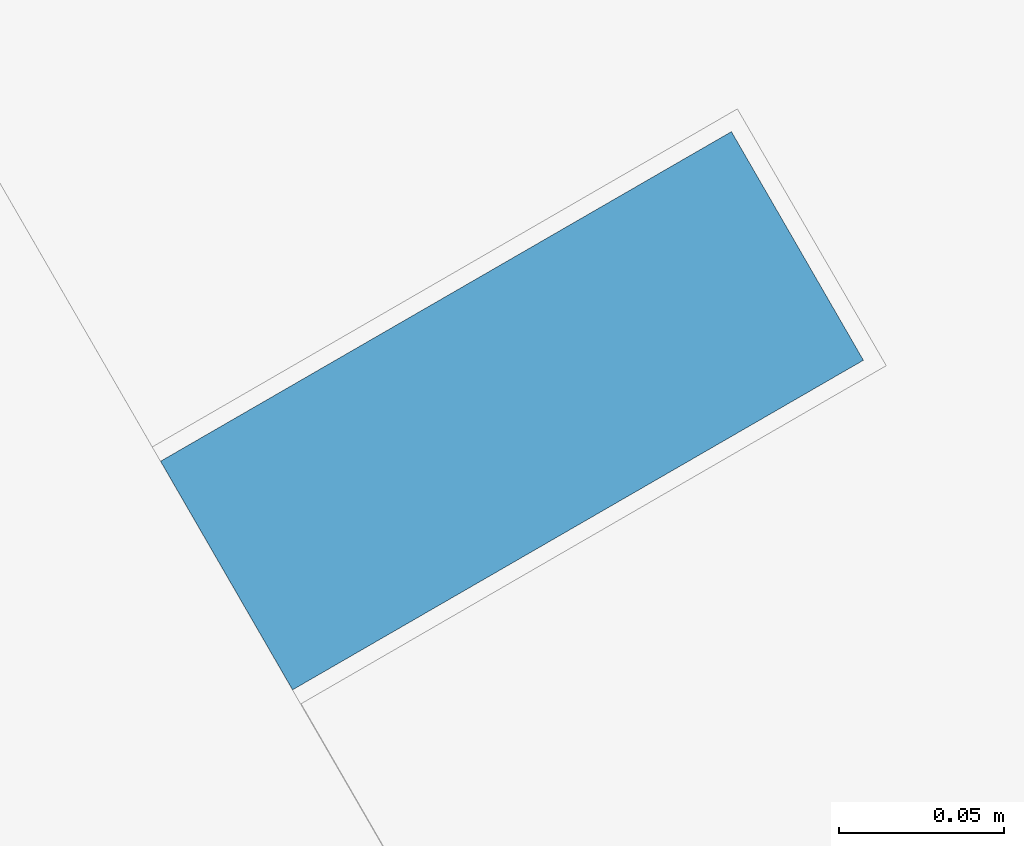
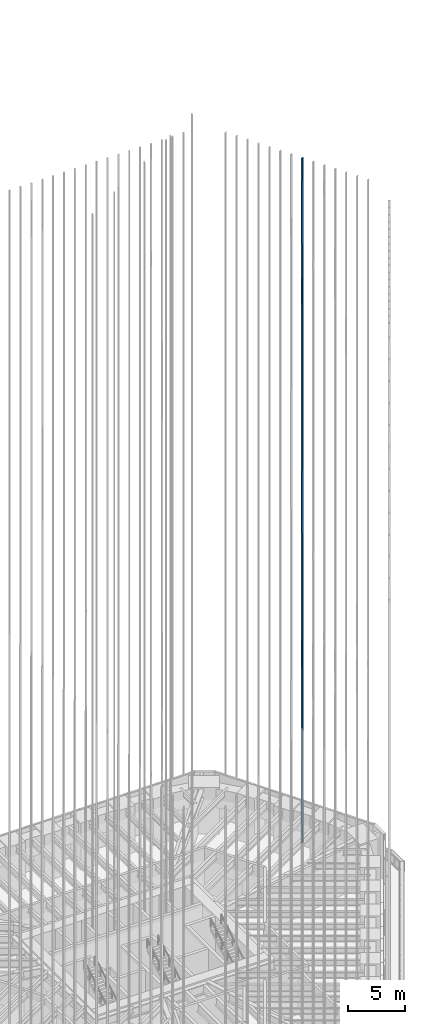
# One storey, part 192 of 228: 1 member, 1 element without a shape of its own.
"""IFC4 building model written with IfcOpenShell, lengths in metres."""

from ifc_helpers import new_model, si_unit, direction, frame, origin, origin_2d, place, context, subcontext, project, spatial, rectangle, extrude, material, material_profile, profile_set, type_object, element, aggregate, save


model = new_model("IFC4")

# Units and contexts
model_context = context("Model", 3, precision=1e-05, world=origin(), true_north=direction((0.0, 1.0)))
body_context = subcontext(model_context, "Body", "Model", "MODEL_VIEW")
ifc_project = project(units=[si_unit("LENGTHUNIT", "METRE"), si_unit("AREAUNIT", "SQUARE_METRE"), si_unit("VOLUMEUNIT", "CUBIC_METRE"), si_unit("PLANEANGLEUNIT", "RADIAN"), si_unit("MASSUNIT", "GRAM", prefix="KILO")], contexts=[model_context])

# Site, building, storey
site_placement = place(None, origin())
site = spatial("IfcSite", under=ifc_project, at=site_placement, CompositionType="ELEMENT")
building_placement = place(site_placement, origin())
building = spatial("IfcBuilding", under=site, at=building_placement, Name="Sandreach Pilgrim Tower", CompositionType="ELEMENT")
storey_placement = place(building_placement, frame((0.0, 0.0, 178.199951171875)))
storey = spatial("IfcBuildingStorey", under=building, at=storey_placement, Name="L44", CompositionType="ELEMENT", Elevation=178.199951171875)

# Curtain wall, member
ifc_material_1 = material(Name="Aluminium framed curtain wall", Category="aluminium")
curtain_wall_type = type_object("IfcCurtainWallType", Name="Upper hotel tower curtain wall", PredefinedType="NOTDEFINED", material=ifc_material_1)
curtain_wall_placement = place(storey_placement, origin())
curtain_wall = element("IfcCurtainWall", 1, at=curtain_wall_placement, inside=storey, type_object=curtain_wall_type, Name="CW-3 L44 NE", PredefinedType="NOTDEFINED")
ifc_material_2 = material(Name="Extruded terracotta on aluminium core", Category="masonry")
ifc_material_profile = material_profile(ifc_material_2, rectangle(XDim=0.080078125, YDim=0.199951171875, at=origin_2d()), Name="TBE 80X200")
ifc_profile_set = profile_set([ifc_material_profile], Name="Extruded terracotta on aluminium core")
member_type = type_object("IfcMemberType", Name="Terracotta baguette east", PredefinedType="USERDEFINED", material=ifc_profile_set)
member_placement = place(storey_placement, frame((23.595458984375, 12.981689453125, 0.0), z_axis=(0.0, 0.0, 1.0), x_axis=(0.5, -0.866025403784, 0.0)))
member = element("IfcMember", 2, at=member_placement, type_object=member_type, Name="Baguette Z3 NE08", ObjectType="BAGUETTE", PredefinedType="USERDEFINED", context=body_context, shape_type="SweptSolid", body=[
    extrude(rectangle(XDim=0.080078125, YDim=0.199951171875, at=origin_2d()), origin(), (0.0, 0.0, 1.0), 73.239990234375),
])
aggregate(curtain_wall, [member])

save(model, "model.ifc")
